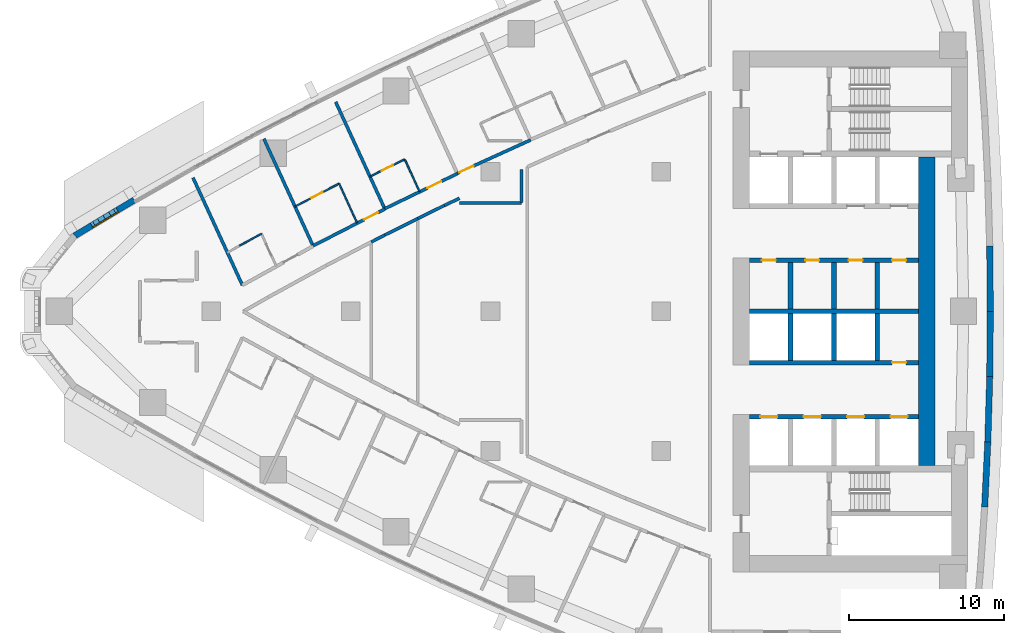
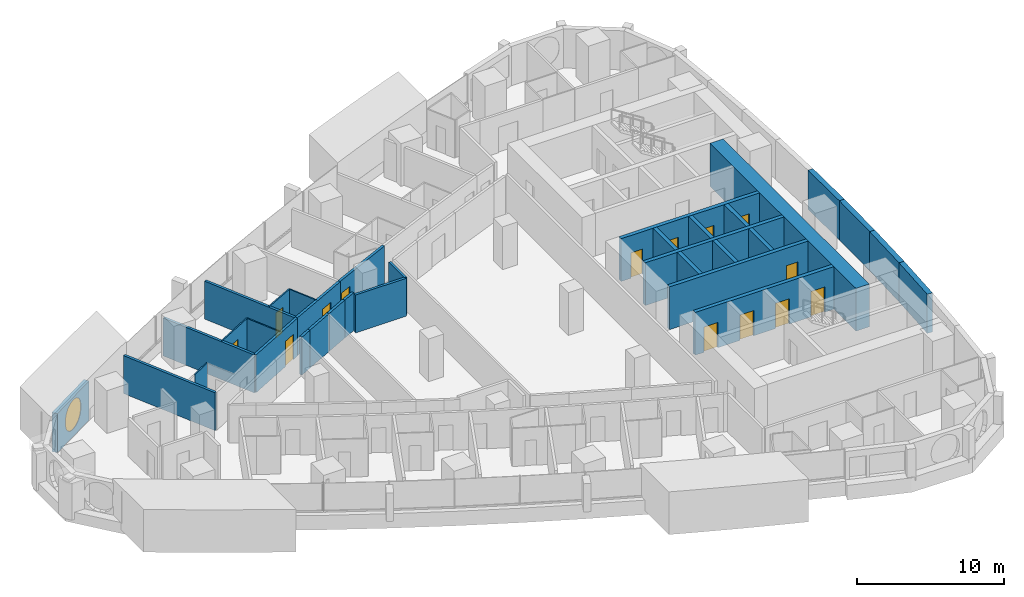
# One storey, part 11 of 17: 33 walls, 14 doors, 1 window, 15 openings.
"""IFC4 building model written with IfcOpenShell, lengths in metres."""

from ifc_helpers import new_model, si_unit, direction, frame, frame_2d, origin, place, context, subcontext, project, spatial, polyline, rectangle, outline, extrude, material, layer, layer_set, type_object, element, fill, save


model = new_model("IFC4")

# Units and contexts
model_context = context("Model", 3, precision=1e-05, world=origin(), true_north=direction((0.0, 1.0)))
body_context = subcontext(model_context, "Body", "Model", "MODEL_VIEW")
ifc_project = project(units=[si_unit("LENGTHUNIT", "METRE"), si_unit("AREAUNIT", "SQUARE_METRE"), si_unit("VOLUMEUNIT", "CUBIC_METRE"), si_unit("PLANEANGLEUNIT", "RADIAN"), si_unit("MASSUNIT", "GRAM", prefix="KILO")], contexts=[model_context])

# Site, building, storey
site_placement = place(None, origin())
site = spatial("IfcSite", under=ifc_project, at=site_placement, CompositionType="ELEMENT")
building_placement = place(site_placement, origin())
building = spatial("IfcBuilding", under=site, at=building_placement, Name="Ostrand Prow Hotel Tower", CompositionType="ELEMENT")
storey_placement = place(building_placement, frame((0.0, 0.0, 116.85009765625)))
storey = spatial("IfcBuildingStorey", under=building, at=storey_placement, Name="L28", CompositionType="ELEMENT", Elevation=116.85009765625)

# Walls
ifc_material_1 = material(Name="Concrete C80/95", Category="concrete")
ifc_layer_1 = layer(ifc_material_1, 1.050048828125)
ifc_layer_set_1 = layer_set([ifc_layer_1], Name="Concrete C80/95")
wall_type_1 = type_object("IfcWallType", Name="Core wall 1050 C80/95", PredefinedType="SHEAR", material=ifc_layer_set_1)
wall_1_placement = place(storey_placement, frame((62.125, -9.949951171875, 0.0), z_axis=(0.0, 0.0, 1.0), x_axis=(0.0, 1.0, 0.0)))
element("IfcWall", 1, at=wall_1_placement, inside=storey, type_object=wall_type_1, Name="Core wall CW-E-C", PredefinedType="SHEAR", context=body_context, shape_type="SweptSolid", body=[
    extrude(rectangle(XDim=19.89990234375, YDim=1.050048828125, at=frame_2d((9.949951171875, 0.0))), origin(), (0.0, 0.0, 1.0), 3.5498046875),
])
ifc_material_2 = material(Name="Concrete C80/95", Category="concrete")
ifc_layer_2 = layer(ifc_material_2, 0.300048828125)
ifc_layer_set_2 = layer_set([ifc_layer_2], Name="Concrete C80/95")
wall_type_2 = type_object("IfcWallType", Name="Core wall 300 C80/95", PredefinedType="SHEAR", material=ifc_layer_set_2)
wall_2_placement = place(storey_placement, frame((50.699951171875, 0.0, 0.0), z_axis=(0.0, 0.0, 1.0), x_axis=(1.0, 0.0, 0.0)))
element("IfcWall", 2, at=wall_2_placement, inside=storey, type_object=wall_type_2, Name="Core wall PW-C", PredefinedType="SHEAR", context=body_context, shape_type="SweptSolid", body=[
    extrude(rectangle(XDim=10.900146484375, YDim=0.300048828125, at=frame_2d((5.4501953125, 0.0))), origin(), (0.0, 0.0, 1.0), 3.5498046875),
])

# Wall, openings, doors
wall_3_placement = place(storey_placement, frame((50.699951171875, 3.300048828125, 0.0), z_axis=(0.0, 0.0, 1.0), x_axis=(1.0, 0.0, 0.0)))
wall_3 = element("IfcWall", 3, at=wall_3_placement, inside=storey, type_object=wall_type_2, Name="Core wall PW-L1-N", PredefinedType="SHEAR", context=body_context, shape_type="SweptSolid", body=[
    extrude(rectangle(XDim=10.900146484375, YDim=0.300048828125, at=frame_2d((5.4501953125, 0.0))), origin(), (0.0, 0.0, 1.0), 3.5498046875),
])
opening_1_placement = place(wall_3_placement, frame((0.800048828125, 0.0, 0.0)))
opening_1 = element("IfcOpeningElement", 4, at=opening_1_placement, cuts=wall_3, Name="Opening FD2", PredefinedType="OPENING", context=body_context, shape_type="SweptSolid", body=[
    extrude(rectangle(XDim=0.89990234375, YDim=2.10009765625, at=frame_2d((0.449951171875, 1.050048828125))), frame((0.0, 0.159912109375, 0.0), z_axis=(0.0, -1.0, 0.0), x_axis=(1.0, 0.0, 0.0)), (0.0, 0.0, 1.0), 0.320068359375),
])
opening_2_placement = place(wall_3_placement, frame((3.60009765625, 0.0, 0.0)))
opening_2 = element("IfcOpeningElement", 5, at=opening_2_placement, cuts=wall_3, Name="Opening FD2", PredefinedType="OPENING", context=body_context, shape_type="SweptSolid", body=[
    extrude(rectangle(XDim=0.89990234375, YDim=2.10009765625, at=frame_2d((0.449951171875, 1.050048828125))), frame((0.0, 0.159912109375, 0.0), z_axis=(0.0, -1.0, 0.0), x_axis=(1.0, 0.0, 0.0)), (0.0, 0.0, 1.0), 0.320068359375),
])
opening_3_placement = place(wall_3_placement, frame((6.39990234375, 0.0, 0.0)))
opening_3 = element("IfcOpeningElement", 6, at=opening_3_placement, cuts=wall_3, Name="Opening FD2", PredefinedType="OPENING", context=body_context, shape_type="SweptSolid", body=[
    extrude(rectangle(XDim=0.89990234375, YDim=2.10009765625, at=frame_2d((0.449951171875, 1.050048828125))), frame((0.0, 0.159912109375, 0.0), z_axis=(0.0, -1.0, 0.0), x_axis=(1.0, 0.0, 0.0)), (0.0, 0.0, 1.0), 0.320068359375),
])
opening_4_placement = place(wall_3_placement, frame((9.199951171875, 0.0, 0.0)))
opening_4 = element("IfcOpeningElement", 7, at=opening_4_placement, cuts=wall_3, Name="Opening FD2", PredefinedType="OPENING", context=body_context, shape_type="SweptSolid", body=[
    extrude(rectangle(XDim=0.89990234375, YDim=2.10009765625, at=frame_2d((0.449951171875, 1.050048828125))), frame((0.0, 0.159912109375, 0.0), z_axis=(0.0, -1.0, 0.0), x_axis=(1.0, 0.0, 0.0)), (0.0, 0.0, 1.0), 0.320068359375),
])
ifc_material_3 = material(Name="Steel fire door", Category="steel")
door_type_1 = type_object("IfcDoorType", Name="Fire door 900 EI120", OperationType="SINGLE_SWING_LEFT", PredefinedType="DOOR", material=ifc_material_3)
door_1_placement = place(opening_1_placement, origin())
door_1 = element("IfcDoor", 8, at=door_1_placement, inside=storey, type_object=door_type_1, Name="DOOR", OperationType="SINGLE_SWING_LEFT", OverallHeight=2.10009765625, OverallWidth=0.89990234375, PredefinedType="DOOR", context=body_context, shape_type="SweptSolid", body=[
    extrude(rectangle(XDim=0.89990234375, YDim=2.10009765625, at=frame_2d((0.449951171875, 1.050048828125))), frame((0.0, 0.02490234375, 0.0), z_axis=(0.0, -1.0, 0.0), x_axis=(1.0, 0.0, 0.0)), (0.0, 0.0, 1.0), 0.050048828125),
])
fill(opening_1, door_1)
door_2_placement = place(opening_2_placement, origin())
door_2 = element("IfcDoor", 9, at=door_2_placement, inside=storey, type_object=door_type_1, Name="DOOR", OperationType="SINGLE_SWING_LEFT", OverallHeight=2.10009765625, OverallWidth=0.89990234375, PredefinedType="DOOR", context=body_context, shape_type="SweptSolid", body=[
    extrude(rectangle(XDim=0.89990234375, YDim=2.10009765625, at=frame_2d((0.449951171875, 1.050048828125))), frame((0.0, 0.02490234375, 0.0), z_axis=(0.0, -1.0, 0.0), x_axis=(1.0, 0.0, 0.0)), (0.0, 0.0, 1.0), 0.050048828125),
])
fill(opening_2, door_2)
door_3_placement = place(opening_3_placement, origin())
door_3 = element("IfcDoor", 10, at=door_3_placement, inside=storey, type_object=door_type_1, Name="DOOR", OperationType="SINGLE_SWING_LEFT", OverallHeight=2.10009765625, OverallWidth=0.89990234375, PredefinedType="DOOR", context=body_context, shape_type="SweptSolid", body=[
    extrude(rectangle(XDim=0.89990234375, YDim=2.10009765625, at=frame_2d((0.449951171875, 1.050048828125))), frame((0.0, 0.02490234375, 0.0), z_axis=(0.0, -1.0, 0.0), x_axis=(1.0, 0.0, 0.0)), (0.0, 0.0, 1.0), 0.050048828125),
])
fill(opening_3, door_3)
door_4_placement = place(opening_4_placement, origin())
door_4 = element("IfcDoor", 11, at=door_4_placement, inside=storey, type_object=door_type_1, Name="DOOR", OperationType="SINGLE_SWING_LEFT", OverallHeight=2.10009765625, OverallWidth=0.89990234375, PredefinedType="DOOR", context=body_context, shape_type="SweptSolid", body=[
    extrude(rectangle(XDim=0.89990234375, YDim=2.10009765625, at=frame_2d((0.449951171875, 1.050048828125))), frame((0.0, 0.02490234375, 0.0), z_axis=(0.0, -1.0, 0.0), x_axis=(1.0, 0.0, 0.0)), (0.0, 0.0, 1.0), 0.050048828125),
])
fill(opening_4, door_4)

# Walls
for number, where, z_axis, x_axis, name in (
    (12, (53.35009765625, 0.14990234375, 0.0), (0.0, 0.0, 1.0), (0.0, 1.0, 0.0), "Core wall PW-R1-NB"),
    (13, (56.14990234375, 0.14990234375, 0.0), (0.0, 0.0, 1.0), (0.0, 1.0, 0.0), "Core wall PW-R2-NB"),
    (14, (58.949951171875, 0.14990234375, 0.0), (0.0, 0.0, 1.0), (0.0, 1.0, 0.0), "Core wall PW-R3-NB"),
):
    element("IfcWall", number, at=place(storey_placement, frame(where, z_axis=z_axis, x_axis=x_axis)), inside=storey, type_object=wall_type_2, Name=name, PredefinedType="SHEAR", context=body_context, shape_type="SweptSolid", body=[
        extrude(rectangle(XDim=3.0, YDim=0.300048828125, at=frame_2d((1.5, 0.0))), origin(), (0.0, 0.0, 1.0), 3.5498046875),
    ])

# Wall, opening, door
wall_4_placement = place(storey_placement, frame((50.699951171875, -3.300048828125, 0.0), z_axis=(0.0, 0.0, 1.0), x_axis=(1.0, 0.0, 0.0)))
wall_4 = element("IfcWall", 15, at=wall_4_placement, inside=storey, type_object=wall_type_2, Name="Core wall PW-L1-S", PredefinedType="SHEAR", context=body_context, shape_type="SweptSolid", body=[
    extrude(rectangle(XDim=10.900146484375, YDim=0.300048828125, at=frame_2d((5.4501953125, 0.0))), origin(), (0.0, 0.0, 1.0), 3.5498046875),
])
opening_5_placement = place(wall_4_placement, frame((9.199951171875, 0.0, 0.0)))
opening_5 = element("IfcOpeningElement", 16, at=opening_5_placement, cuts=wall_4, Name="Opening FD2", PredefinedType="OPENING", context=body_context, shape_type="SweptSolid", body=[
    extrude(rectangle(XDim=0.89990234375, YDim=2.10009765625, at=frame_2d((0.449951171875, 1.050048828125))), frame((0.0, 0.159912109375, 0.0), z_axis=(0.0, -1.0, 0.0), x_axis=(1.0, 0.0, 0.0)), (0.0, 0.0, 1.0), 0.320068359375),
])
door_5_placement = place(opening_5_placement, origin())
door_5 = element("IfcDoor", 17, at=door_5_placement, inside=storey, type_object=door_type_1, Name="DOOR", OperationType="SINGLE_SWING_LEFT", OverallHeight=2.10009765625, OverallWidth=0.89990234375, PredefinedType="DOOR", context=body_context, shape_type="SweptSolid", body=[
    extrude(rectangle(XDim=0.89990234375, YDim=2.10009765625, at=frame_2d((0.449951171875, 1.050048828125))), frame((0.0, 0.02490234375, 0.0), z_axis=(0.0, -1.0, 0.0), x_axis=(1.0, 0.0, 0.0)), (0.0, 0.0, 1.0), 0.050048828125),
])
fill(opening_5, door_5)

# Wall, openings, doors
wall_5_placement = place(storey_placement, frame((50.699951171875, -6.800048828125, 0.0), z_axis=(0.0, 0.0, 1.0), x_axis=(1.0, 0.0, 0.0)))
wall_5 = element("IfcWall", 18, at=wall_5_placement, inside=storey, type_object=wall_type_2, Name="Core wall PW-L2-S", PredefinedType="SHEAR", context=body_context, shape_type="SweptSolid", body=[
    extrude(rectangle(XDim=10.900146484375, YDim=0.300048828125, at=frame_2d((5.4501953125, 0.0))), origin(), (0.0, 0.0, 1.0), 3.5498046875),
])
opening_6_placement = place(wall_5_placement, frame((0.699951171875, 0.0, 0.0)))
opening_6 = element("IfcOpeningElement", 19, at=opening_6_placement, cuts=wall_5, Name="Opening LD", PredefinedType="OPENING", context=body_context, shape_type="SweptSolid", body=[
    extrude(rectangle(XDim=1.10009765625, YDim=2.10009765625, at=frame_2d((0.550048828125, 1.050048828125))), frame((0.0, 0.159912109375, 0.0), z_axis=(0.0, -1.0, 0.0), x_axis=(1.0, 0.0, 0.0)), (0.0, 0.0, 1.0), 0.320068359375),
])
opening_7_placement = place(wall_5_placement, frame((3.5, 0.0, 0.0)))
opening_7 = element("IfcOpeningElement", 20, at=opening_7_placement, cuts=wall_5, Name="Opening LD", PredefinedType="OPENING", context=body_context, shape_type="SweptSolid", body=[
    extrude(rectangle(XDim=1.10009765625, YDim=2.10009765625, at=frame_2d((0.550048828125, 1.050048828125))), frame((0.0, 0.159912109375, 0.0), z_axis=(0.0, -1.0, 0.0), x_axis=(1.0, 0.0, 0.0)), (0.0, 0.0, 1.0), 0.320068359375),
])
opening_8_placement = place(wall_5_placement, frame((6.300048828125, 0.0, 0.0)))
opening_8 = element("IfcOpeningElement", 21, at=opening_8_placement, cuts=wall_5, Name="Opening LD", PredefinedType="OPENING", context=body_context, shape_type="SweptSolid", body=[
    extrude(rectangle(XDim=1.10009765625, YDim=2.10009765625, at=frame_2d((0.550048828125, 1.050048828125))), frame((0.0, 0.159912109375, 0.0), z_axis=(0.0, -1.0, 0.0), x_axis=(1.0, 0.0, 0.0)), (0.0, 0.0, 1.0), 0.320068359375),
])
opening_9_placement = place(wall_5_placement, frame((9.10009765625, 0.0, 0.0)))
opening_9 = element("IfcOpeningElement", 22, at=opening_9_placement, cuts=wall_5, Name="Opening LD", PredefinedType="OPENING", context=body_context, shape_type="SweptSolid", body=[
    extrude(rectangle(XDim=1.10009765625, YDim=2.10009765625, at=frame_2d((0.550048828125, 1.050048828125))), frame((0.0, 0.159912109375, 0.0), z_axis=(0.0, -1.0, 0.0), x_axis=(1.0, 0.0, 0.0)), (0.0, 0.0, 1.0), 0.320068359375),
])
ifc_material_4 = material(Name="Stainless steel door", Category="steel")
door_type_2 = type_object("IfcDoorType", Name="Lift landing door 1100", OperationType="DOUBLE_DOOR_SLIDING", PredefinedType="DOOR", material=ifc_material_4)
door_6_placement = place(opening_6_placement, origin())
door_6 = element("IfcDoor", 23, at=door_6_placement, inside=storey, type_object=door_type_2, Name="LIFT LANDING DOOR", OperationType="DOUBLE_DOOR_SLIDING", OverallHeight=2.10009765625, OverallWidth=1.10009765625, PredefinedType="DOOR", context=body_context, shape_type="SweptSolid", body=[
    extrude(rectangle(XDim=1.10009765625, YDim=2.10009765625, at=frame_2d((0.550048828125, 1.050048828125))), frame((0.0, 0.02490234375, 0.0), z_axis=(0.0, -1.0, 0.0), x_axis=(1.0, 0.0, 0.0)), (0.0, 0.0, 1.0), 0.050048828125),
])
fill(opening_6, door_6)
door_7_placement = place(opening_7_placement, origin())
door_7 = element("IfcDoor", 24, at=door_7_placement, inside=storey, type_object=door_type_2, Name="LIFT LANDING DOOR", OperationType="DOUBLE_DOOR_SLIDING", OverallHeight=2.10009765625, OverallWidth=1.10009765625, PredefinedType="DOOR", context=body_context, shape_type="SweptSolid", body=[
    extrude(rectangle(XDim=1.10009765625, YDim=2.10009765625, at=frame_2d((0.550048828125, 1.050048828125))), frame((0.0, 0.02490234375, 0.0), z_axis=(0.0, -1.0, 0.0), x_axis=(1.0, 0.0, 0.0)), (0.0, 0.0, 1.0), 0.050048828125),
])
fill(opening_7, door_7)
door_8_placement = place(opening_8_placement, origin())
door_8 = element("IfcDoor", 25, at=door_8_placement, inside=storey, type_object=door_type_2, Name="LIFT LANDING DOOR", OperationType="DOUBLE_DOOR_SLIDING", OverallHeight=2.10009765625, OverallWidth=1.10009765625, PredefinedType="DOOR", context=body_context, shape_type="SweptSolid", body=[
    extrude(rectangle(XDim=1.10009765625, YDim=2.10009765625, at=frame_2d((0.550048828125, 1.050048828125))), frame((0.0, 0.02490234375, 0.0), z_axis=(0.0, -1.0, 0.0), x_axis=(1.0, 0.0, 0.0)), (0.0, 0.0, 1.0), 0.050048828125),
])
fill(opening_8, door_8)
door_9_placement = place(opening_9_placement, origin())
door_9 = element("IfcDoor", 26, at=door_9_placement, inside=storey, type_object=door_type_2, Name="LIFT LANDING DOOR", OperationType="DOUBLE_DOOR_SLIDING", OverallHeight=2.10009765625, OverallWidth=1.10009765625, PredefinedType="DOOR", context=body_context, shape_type="SweptSolid", body=[
    extrude(rectangle(XDim=1.10009765625, YDim=2.10009765625, at=frame_2d((0.550048828125, 1.050048828125))), frame((0.0, 0.02490234375, 0.0), z_axis=(0.0, -1.0, 0.0), x_axis=(1.0, 0.0, 0.0)), (0.0, 0.0, 1.0), 0.050048828125),
])
fill(opening_9, door_9)

# Walls
for number, where, z_axis, x_axis, name in (
    (27, (53.35009765625, -3.14990234375, 0.0), (0.0, 0.0, 1.0), (0.0, 1.0, 0.0), "Core wall PW-R1-SB"),
    (28, (56.14990234375, -3.14990234375, 0.0), (0.0, 0.0, 1.0), (0.0, 1.0, 0.0), "Core wall PW-R2-SB"),
    (29, (58.949951171875, -3.14990234375, 0.0), (0.0, 0.0, 1.0), (0.0, 1.0, 0.0), "Core wall PW-R3-SB"),
):
    element("IfcWall", number, at=place(storey_placement, frame(where, z_axis=z_axis, x_axis=x_axis)), inside=storey, type_object=wall_type_2, Name=name, PredefinedType="SHEAR", context=body_context, shape_type="SweptSolid", body=[
        extrude(rectangle(XDim=3.0, YDim=0.300048828125, at=frame_2d((1.5, 0.0))), origin(), (0.0, 0.0, 1.0), 3.5498046875),
    ])
ifc_material_5 = material(Name="Plasterboard partition")
ifc_layer_3 = layer(ifc_material_5, 0.10009765625)
ifc_layer_set_3 = layer_set([ifc_layer_3], Name="Plasterboard partition")
wall_type_3 = type_object("IfcWallType", Name="Partition 100 bathroom wall", PredefinedType="PARTITIONING", material=ifc_layer_set_3)
wall_6_placement = place(storey_placement, frame((17.80126953125, 4.228515625, 0.0), z_axis=(0.0, 0.0, 1.0), x_axis=(0.877424481957, 0.479714788663, 0.0)))
element("IfcWall", 30, at=wall_6_placement, inside=storey, type_object=wall_type_3, Name="BATHROOM WALL", PredefinedType="PARTITIONING", context=body_context, shape_type="SweptSolid", body=[
    extrude(rectangle(XDim=1.62548828125, YDim=0.10009765625, at=frame_2d((0.812744140625, 0.0))), origin(), (0.0, 0.0, 1.0), 3.14990234375),
])

# Wall, opening, door
wall_7_placement = place(storey_placement, frame((21.3935546875, 6.76171875, 0.0), z_axis=(0.0, 0.0, 1.0), x_axis=(0.886897171809, 0.461966889114, 0.0)))
wall_7 = element("IfcWall", 31, at=wall_7_placement, inside=storey, type_object=wall_type_3, Name="BATHROOM WALL", PredefinedType="PARTITIONING", context=body_context, shape_type="SweptSolid", body=[
    extrude(rectangle(XDim=3.20361328125, YDim=0.10009765625, at=frame_2d((1.601806640625, 0.0))), origin(), (0.0, 0.0, 1.0), 3.14990234375),
])
opening_10_placement = place(wall_7_placement, frame((1.199951171875, 0.0, 0.0)))
opening_10 = element("IfcOpeningElement", 32, at=opening_10_placement, cuts=wall_7, Name="Opening D2", PredefinedType="OPENING", context=body_context, shape_type="SweptSolid", body=[
    extrude(rectangle(XDim=0.800048828125, YDim=2.10009765625, at=frame_2d((0.39990234375, 1.050048828125))), frame((0.0, 0.06005859375, 0.0), z_axis=(0.0, -1.0, 0.0), x_axis=(1.0, 0.0, 0.0)), (0.0, 0.0, 1.0), 0.1201171875),
])
ifc_material_6 = material(Name="Timber door leaf", Category="wood")
door_type_3 = type_object("IfcDoorType", Name="Bathroom door 800", OperationType="SINGLE_SWING_LEFT", PredefinedType="DOOR", material=ifc_material_6)
door_10_placement = place(opening_10_placement, origin())
door_10 = element("IfcDoor", 33, at=door_10_placement, inside=storey, type_object=door_type_3, Name="DOOR", OperationType="SINGLE_SWING_LEFT", OverallHeight=2.10009765625, OverallWidth=0.800048828125, PredefinedType="DOOR", context=body_context, shape_type="SweptSolid", body=[
    extrude(rectangle(XDim=0.800048828125, YDim=2.10009765625, at=frame_2d((0.39990234375, 1.050048828125))), frame((0.0, 0.02490234375, 0.0), z_axis=(0.0, -1.0, 0.0), x_axis=(1.0, 0.0, 0.0)), (0.0, 0.0, 1.0), 0.050048828125),
])
fill(opening_10, door_10)

# Wall
wall_8_placement = place(storey_placement, frame((24.235107421875, 8.24169921875, 0.0), z_axis=(0.0, 0.0, 1.0), x_axis=(0.417359077977, -0.908741657475, 0.0)))
element("IfcWall", 34, at=wall_8_placement, inside=storey, type_object=wall_type_3, Name="BATHROOM WALL", PredefinedType="PARTITIONING", context=body_context, shape_type="SweptSolid", body=[
    extrude(rectangle(XDim=2.7802734375, YDim=0.10009765625, at=frame_2d((1.39013671875, 0.0))), origin(), (0.0, 0.0, 1.0), 3.14990234375),
])

# Wall, opening, door
wall_9_placement = place(storey_placement, frame((26.22705078125, 8.696533203125, 0.0), z_axis=(0.0, 0.0, 1.0), x_axis=(0.895944857815, 0.444165297784, 0.0)))
wall_9 = element("IfcWall", 35, at=wall_9_placement, inside=storey, type_object=wall_type_3, Name="BATHROOM WALL", PredefinedType="PARTITIONING", context=body_context, shape_type="SweptSolid", body=[
    extrude(rectangle(XDim=2.5009765625, YDim=0.10009765625, at=frame_2d((1.25048828125, 0.0))), origin(), (0.0, 0.0, 1.0), 3.14990234375),
])
opening_11_placement = place(wall_9_placement, frame((0.85009765625, 0.0, 0.0)))
opening_11 = element("IfcOpeningElement", 36, at=opening_11_placement, cuts=wall_9, Name="Opening D2", PredefinedType="OPENING", context=body_context, shape_type="SweptSolid", body=[
    extrude(rectangle(XDim=0.800048828125, YDim=2.10009765625, at=frame_2d((0.39990234375, 1.050048828125))), frame((0.0, 0.06005859375, 0.0), z_axis=(0.0, -1.0, 0.0), x_axis=(1.0, 0.0, 0.0)), (0.0, 0.0, 1.0), 0.1201171875),
])
door_11_placement = place(opening_11_placement, origin())
door_11 = element("IfcDoor", 37, at=door_11_placement, inside=storey, type_object=door_type_3, Name="DOOR", OperationType="SINGLE_SWING_LEFT", OverallHeight=2.10009765625, OverallWidth=0.800048828125, PredefinedType="DOOR", context=body_context, shape_type="SweptSolid", body=[
    extrude(rectangle(XDim=0.800048828125, YDim=2.10009765625, at=frame_2d((0.39990234375, 1.050048828125))), frame((0.0, 0.02490234375, 0.0), z_axis=(0.0, -1.0, 0.0), x_axis=(1.0, 0.0, 0.0)), (0.0, 0.0, 1.0), 0.050048828125),
])
fill(opening_11, door_11)

# Wall
wall_10_placement = place(storey_placement, frame((28.468017578125, 9.807373046875, 0.0), z_axis=(0.0, 0.0, 1.0), x_axis=(0.417344701557, -0.908748260016, 0.0)))
element("IfcWall", 38, at=wall_10_placement, inside=storey, type_object=wall_type_3, Name="BATHROOM WALL", PredefinedType="PARTITIONING", context=body_context, shape_type="SweptSolid", body=[
    extrude(rectangle(XDim=2.27783203125, YDim=0.10009765625, at=frame_2d((1.138916015625, 0.0))), origin(), (0.0, 0.0, 1.0), 3.14990234375),
])

# Wall, opening, door
ifc_material_7 = material(Name="Plasterboard partition")
ifc_layer_4 = layer(ifc_material_7, 0.199951171875)
ifc_layer_set_4 = layer_set([ifc_layer_4], Name="Plasterboard partition")
wall_type_4 = type_object("IfcWallType", Name="Partition 200 corridor wall", PredefinedType="PARTITIONING", material=ifc_layer_set_4)
wall_11_placement = place(storey_placement, frame((22.556640625, 4.2294921875, 0.0), z_axis=(0.0, 0.0, 1.0), x_axis=(0.889706581948, 0.456532800617, 0.0)))
wall_11 = element("IfcWall", 39, at=wall_11_placement, inside=storey, type_object=wall_type_4, Name="CORRIDOR WALL", PredefinedType="PARTITIONING", context=body_context, shape_type="SweptSolid", body=[
    extrude(rectangle(XDim=5.204833984375, YDim=0.199951171875, at=frame_2d((2.6025390625, 0.0))), origin(), (0.0, 0.0, 1.0), 3.14990234375),
])
opening_12_placement = place(wall_11_placement, frame((3.699951171875, 0.0, 0.0)))
opening_12 = element("IfcOpeningElement", 40, at=opening_12_placement, cuts=wall_11, Name="Opening D1", PredefinedType="OPENING", context=body_context, shape_type="SweptSolid", body=[
    extrude(rectangle(XDim=1.0, YDim=2.10009765625, at=frame_2d((0.5, 1.050048828125))), frame((0.0, 0.10986328125, 0.0), z_axis=(0.0, -1.0, 0.0), x_axis=(1.0, 0.0, 0.0)), (0.0, 0.0, 1.0), 0.219970703125),
])
ifc_material_8 = material(Name="Timber door leaf", Category="wood")
door_type_4 = type_object("IfcDoorType", Name="Guest room door 1000", OperationType="SINGLE_SWING_LEFT", PredefinedType="DOOR", material=ifc_material_8)
door_12_placement = place(opening_12_placement, origin())
door_12 = element("IfcDoor", 41, at=door_12_placement, inside=storey, type_object=door_type_4, Name="DOOR", OperationType="SINGLE_SWING_LEFT", OverallHeight=2.10009765625, OverallWidth=1.0, PredefinedType="DOOR", context=body_context, shape_type="SweptSolid", body=[
    extrude(rectangle(XDim=1.0, YDim=2.10009765625, at=frame_2d((0.5, 1.050048828125))), frame((0.0, 0.02490234375, 0.0), z_axis=(0.0, -1.0, 0.0), x_axis=(1.0, 0.0, 0.0)), (0.0, 0.0, 1.0), 0.050048828125),
])
fill(opening_12, door_12)

wall_12_placement = place(storey_placement, frame((27.17919921875, 6.623779296875, 0.0), z_axis=(0.0, 0.0, 1.0), x_axis=(0.900446408639, 0.434966970204, 0.0)))
wall_12 = element("IfcWall", 42, at=wall_12_placement, inside=storey, type_object=wall_type_4, Name="CORRIDOR WALL", PredefinedType="PARTITIONING", context=body_context, shape_type="SweptSolid", body=[
    extrude(rectangle(XDim=5.200927734375, YDim=0.199951171875, at=frame_2d((2.6005859375, 0.0))), origin(), (0.0, 0.0, 1.0), 3.14990234375),
])
opening_13_placement = place(wall_12_placement, frame((3.050048828125, 0.0, 0.0)))
opening_13 = element("IfcOpeningElement", 43, at=opening_13_placement, cuts=wall_12, Name="Opening D1", PredefinedType="OPENING", context=body_context, shape_type="SweptSolid", body=[
    extrude(rectangle(XDim=1.0, YDim=2.10009765625, at=frame_2d((0.5, 1.050048828125))), frame((0.0, 0.10986328125, 0.0), z_axis=(0.0, -1.0, 0.0), x_axis=(1.0, 0.0, 0.0)), (0.0, 0.0, 1.0), 0.219970703125),
])
door_13_placement = place(opening_13_placement, origin())
door_13 = element("IfcDoor", 44, at=door_13_placement, inside=storey, type_object=door_type_4, Name="DOOR", OperationType="SINGLE_SWING_LEFT", OverallHeight=2.10009765625, OverallWidth=1.0, PredefinedType="DOOR", context=body_context, shape_type="SweptSolid", body=[
    extrude(rectangle(XDim=1.0, YDim=2.10009765625, at=frame_2d((0.5, 1.050048828125))), frame((0.0, 0.02490234375, 0.0), z_axis=(0.0, -1.0, 0.0), x_axis=(1.0, 0.0, 0.0)), (0.0, 0.0, 1.0), 0.050048828125),
])
fill(opening_13, door_13)

wall_13_placement = place(storey_placement, frame((31.85400390625, 8.904296875, 0.0), z_axis=(0.0, 0.0, 1.0), x_axis=(0.910421138148, 0.413682669704, 0.0)))
wall_13 = element("IfcWall", 45, at=wall_13_placement, inside=storey, type_object=wall_type_4, Name="CORRIDOR WALL", PredefinedType="PARTITIONING", context=body_context, shape_type="SweptSolid", body=[
    extrude(rectangle(XDim=5.199951171875, YDim=0.199951171875, at=frame_2d((2.60009765625, 0.0))), origin(), (0.0, 0.0, 1.0), 3.14990234375),
])
opening_14_placement = place(wall_13_placement, frame((0.14990234375, 0.0, 0.0)))
opening_14 = element("IfcOpeningElement", 46, at=opening_14_placement, cuts=wall_13, Name="Opening D1", PredefinedType="OPENING", context=body_context, shape_type="SweptSolid", body=[
    extrude(rectangle(XDim=1.0, YDim=2.10009765625, at=frame_2d((0.5, 1.050048828125))), frame((0.0, 0.10986328125, 0.0), z_axis=(0.0, -1.0, 0.0), x_axis=(1.0, 0.0, 0.0)), (0.0, 0.0, 1.0), 0.219970703125),
])
door_14_placement = place(opening_14_placement, origin())
door_14 = element("IfcDoor", 47, at=door_14_placement, inside=storey, type_object=door_type_4, Name="DOOR", OperationType="SINGLE_SWING_LEFT", OverallHeight=2.10009765625, OverallWidth=1.0, PredefinedType="DOOR", context=body_context, shape_type="SweptSolid", body=[
    extrude(rectangle(XDim=1.0, YDim=2.10009765625, at=frame_2d((0.5, 1.050048828125))), frame((0.0, 0.02490234375, 0.0), z_axis=(0.0, -1.0, 0.0), x_axis=(1.0, 0.0, 0.0)), (0.0, 0.0, 1.0), 0.050048828125),
])
fill(opening_14, door_14)

# Walls
wall_14_placement = place(storey_placement, frame((26.30810546875, 4.47314453125, 0.0), z_axis=(0.0, 0.0, 1.0), x_axis=(0.886893275317, 0.461974369633, 0.0)))
element("IfcWall", 48, at=wall_14_placement, inside=storey, type_object=wall_type_4, Name="CORRIDOR WALL", PredefinedType="PARTITIONING", context=body_context, shape_type="SweptSolid", body=[
    extrude(rectangle(XDim=1.00146484375, YDim=0.199951171875, at=frame_2d((0.500732421875, 0.0))), origin(), (0.0, 0.0, 1.0), 3.14990234375),
])
wall_15_placement = place(storey_placement, frame((27.1962890625, 4.935791015625, 0.0), z_axis=(0.0, 0.0, 1.0), x_axis=(0.895954899574, 0.444145041546, 0.0)))
element("IfcWall", 49, at=wall_15_placement, inside=storey, type_object=wall_type_4, Name="CORRIDOR WALL", PredefinedType="PARTITIONING", context=body_context, shape_type="SweptSolid", body=[
    extrude(rectangle(XDim=2.357177734375, YDim=0.199951171875, at=frame_2d((1.1787109375, 0.0))), origin(), (0.0, 0.0, 1.0), 3.14990234375),
])
wall_16_placement = place(storey_placement, frame((31.02490234375, 6.83349609375, 0.0), z_axis=(0.0, 0.0, 1.0), x_axis=(0.904690325494, 0.426069730159, 0.0)))
element("IfcWall", 50, at=wall_16_placement, inside=storey, type_object=wall_type_4, Name="CORRIDOR WALL", PredefinedType="PARTITIONING", context=body_context, shape_type="SweptSolid", body=[
    extrude(rectangle(XDim=1.077880859375, YDim=0.199951171875, at=frame_2d((0.5390625, 0.0))), origin(), (0.0, 0.0, 1.0), 3.14990234375),
])
wall_17_placement = place(storey_placement, frame((29.30810546875, 5.982666015625, 0.0), z_axis=(0.0, 0.0, 1.0), x_axis=(0.896001589052, 0.444050844404, 0.0)))
element("IfcWall", 51, at=wall_17_placement, inside=storey, type_object=wall_type_4, Name="CORRIDOR WALL", PredefinedType="PARTITIONING", context=body_context, shape_type="SweptSolid", body=[
    extrude(rectangle(XDim=1.916015625, YDim=0.199951171875, at=frame_2d((0.9580078125, 0.0))), origin(), (0.0, 0.0, 1.0), 3.14990234375),
])
wall_18_placement = place(storey_placement, frame((31.99951171875, 6.9951171875, 0.0), z_axis=(0.0, 0.0, 1.0), x_axis=(0.99999999256, 0.00012198097, 0.0)))
element("IfcWall", 52, at=wall_18_placement, inside=storey, type_object=wall_type_4, Name="CORRIDOR WALL", PredefinedType="PARTITIONING", context=body_context, shape_type="SweptSolid", body=[
    extrude(rectangle(XDim=4.0029296875, YDim=0.199951171875, at=frame_2d((2.00146484375, 0.0))), origin(), (0.0, 0.0, 1.0), 3.14990234375),
])
wall_19_placement = place(storey_placement, frame((36.00244140625, 7.03564453125, 0.0), z_axis=(0.0, 0.0, 1.0), x_axis=(0.001156603436, 0.999999331134, 0.0)))
element("IfcWall", 53, at=wall_19_placement, inside=storey, type_object=wall_type_4, Name="CORRIDOR WALL", PredefinedType="PARTITIONING", context=body_context, shape_type="SweptSolid", body=[
    extrude(rectangle(XDim=2.11083984375, YDim=0.199951171875, at=frame_2d((1.055419921875, 0.0))), origin(), (0.0, 0.0, 1.0), 3.14990234375),
])
ifc_material_9 = material(Name="Plasterboard partition")
ifc_layer_5 = layer(ifc_material_9, 0.199951171875)
ifc_layer_set_5 = layer_set([ifc_layer_5], Name="Plasterboard partition")
wall_type_5 = type_object("IfcWallType", Name="Partition 200 key partition", PredefinedType="PARTITIONING", material=ifc_layer_set_5)
wall_20_placement = place(storey_placement, frame((14.814697265625, 8.625732421875, 0.0), z_axis=(0.0, 0.0, 1.0), x_axis=(0.417432341259, -0.908708006166, 0.0)))
element("IfcWall", 54, at=wall_20_placement, inside=storey, type_object=wall_type_5, Name="KEY PARTITION", PredefinedType="PARTITIONING", context=body_context, shape_type="SweptSolid", body=[
    extrude(rectangle(XDim=7.630615234375, YDim=0.199951171875, at=frame_2d((3.8154296875, 0.0))), origin(), (0.0, 0.0, 1.0), 3.14990234375),
])
wall_21_placement = place(storey_placement, frame((22.56494140625, 4.211181640625, 0.0), z_axis=(0.0, 0.0, 1.0), x_axis=(-0.41742645501, 0.908710710104, 0.0)))
element("IfcWall", 55, at=wall_21_placement, inside=storey, type_object=wall_type_5, Name="KEY PARTITION", PredefinedType="PARTITIONING", context=body_context, shape_type="SweptSolid", body=[
    extrude(rectangle(XDim=7.61279296875, YDim=0.199951171875, at=frame_2d((3.806396484375, 0.0))), origin(), (0.0, 0.0, 1.0), 3.14990234375),
])
wall_22_placement = place(storey_placement, frame((27.1875, 6.605712890625, 0.0), z_axis=(0.0, 0.0, 1.0), x_axis=(-0.417428513692, 0.908709764422, 0.0)))
element("IfcWall", 56, at=wall_22_placement, inside=storey, type_object=wall_type_5, Name="KEY PARTITION", PredefinedType="PARTITIONING", context=body_context, shape_type="SweptSolid", body=[
    extrude(rectangle(XDim=7.603271484375, YDim=0.199951171875, at=frame_2d((3.8017578125, 0.0))), origin(), (0.0, 0.0, 1.0), 3.14990234375),
])

# Wall, opening, window
ifc_material_10 = material(Name="Precast concrete C40/50", Category="concrete")
ifc_layer_6 = layer(ifc_material_10, 0.39990234375)
ifc_layer_set_6 = layer_set([ifc_layer_6], Name="Precast concrete C40/50")
wall_type_6 = type_object("IfcWallType", Name="Stone-faced precast wall 400 mm", PredefinedType="NOTDEFINED", material=ifc_layer_set_6)
wall_23_placement = place(storey_placement, frame((11.02587890625, 7.18603515625, 0.0), z_axis=(0.0, 0.0, 1.0), x_axis=(-0.857550776474, -0.514399325202, 0.0)))
wall_23 = element("IfcWall", 57, at=wall_23_placement, inside=storey, type_object=wall_type_6, Name="Stone-faced wall prow 1", PredefinedType="NOTDEFINED", context=body_context, shape_type="SweptSolid", body=[
    extrude(outline(polyline([(0.0, -0.199951171875), (4.50341796875, -0.199951171875), (4.4326171875, 0.199951171875), (0.0, 0.199951171875), (0.0, -0.199951171875)])), origin(), (0.0, 0.0, 1.0), 3.25),
])
opening_15_placement = place(wall_23_placement, frame((1.134033203125, 0.0, 0.60009765625)))
opening_15 = element("IfcOpeningElement", 58, at=opening_15_placement, cuts=wall_23, Name="Opening WP1", PredefinedType="OPENING", context=body_context, shape_type="SweptSolid", body=[
    extrude(outline(polyline([(0.0, 1.35009765625), (0.083740234375, 1.77099609375), (0.322265625, 2.127685546875), (0.678955078125, 2.3662109375), (1.10009765625, 2.449951171875), (1.52099609375, 2.3662109375), (1.877685546875, 2.127685546875), (2.1162109375, 1.77099609375), (2.199951171875, 1.35009765625), (2.199951171875, 1.10009765625), (2.1162109375, 0.678955078125), (1.877685546875, 0.322265625), (1.52099609375, 0.083740234375), (1.10009765625, 0.0), (0.678955078125, 0.083740234375), (0.322265625, 0.322265625), (0.083740234375, 0.678955078125), (0.0, 1.099853515625), (0.0, 1.35009765625)])), frame((0.0, 0.2099609375, 0.0), z_axis=(0.0, -1.0, 0.0), x_axis=(1.0, 0.0, 0.0)), (0.0, 0.0, 1.0), 0.419921875),
])
ifc_material_11 = material(Name="Insulated glass in bronze frame", Category="glass")
window_type = type_object("IfcWindowType", Name="Round-ended prow window 2200x2450", PartitioningType="SINGLE_PANEL", PredefinedType="WINDOW", material=ifc_material_11)
window_placement = place(opening_15_placement, origin())
window = element("IfcWindow", 59, at=window_placement, inside=storey, type_object=window_type, Name="Window prow 1.1", OverallHeight=2.449951171875, OverallWidth=2.199951171875, PartitioningType="SINGLE_PANEL", PredefinedType="WINDOW", context=body_context, shape_type="SweptSolid", body=[
    extrude(outline(polyline([(0.0, 1.35009765625), (0.083740234375, 1.77099609375), (0.322265625, 2.127685546875), (0.678955078125, 2.3662109375), (1.10009765625, 2.449951171875), (1.52099609375, 2.3662109375), (1.877685546875, 2.127685546875), (2.1162109375, 1.77099609375), (2.199951171875, 1.35009765625), (2.199951171875, 1.10009765625), (2.1162109375, 0.678955078125), (1.877685546875, 0.322265625), (1.52099609375, 0.083740234375), (1.10009765625, 0.0), (0.678955078125, 0.083740234375), (0.322265625, 0.322265625), (0.083740234375, 0.678955078125), (0.0, 1.099853515625), (0.0, 1.35009765625)])), frame((0.0, 0.169921875, 0.0), z_axis=(0.0, -1.0, 0.0), x_axis=(1.0, 0.0, 0.0)), (0.0, 0.0, 1.0), 0.06005859375),
])
fill(opening_15, window)

# Walls
for number, where, z_axis, x_axis, name in (
    (60, (65.8681640625, -12.613525390625, 0.0), (0.0, 0.0, 1.0), (0.048342691508, 0.998830808585, 0.0), "Stone-faced wall back 7"),
    (61, (66.071533203125, -8.41162109375, 0.0), (0.0, 0.0, 1.0), (0.02901703777, 0.999578917104, 0.0), "Stone-faced wall back 8"),
    (62, (66.193603515625, -4.20654296875, 0.0), (0.0, 0.0, 1.0), (0.00969194175, 0.99995303203, 0.0), "Stone-faced wall back 9"),
    (63, (66.234375, 0.0, 0.0), (0.0, 0.0, 1.0), (-0.00969194175, 0.99995303203, 0.0), "Stone-faced wall back 10"),
):
    element("IfcWall", number, at=place(storey_placement, frame(where, z_axis=z_axis, x_axis=x_axis)), inside=storey, type_object=wall_type_6, Name=name, PredefinedType="NOTDEFINED", context=body_context, shape_type="SweptSolid", body=[
        extrude(outline(polyline([(-0.001953125, -0.199951171875), (4.208740234375, -0.199951171875), (4.204833984375, 0.199951171875), (0.001953125, 0.199951171875), (-0.001953125, -0.199951171875)])), origin(), (0.0, 0.0, 1.0), 3.25),
    ])

save(model, "model.ifc")
